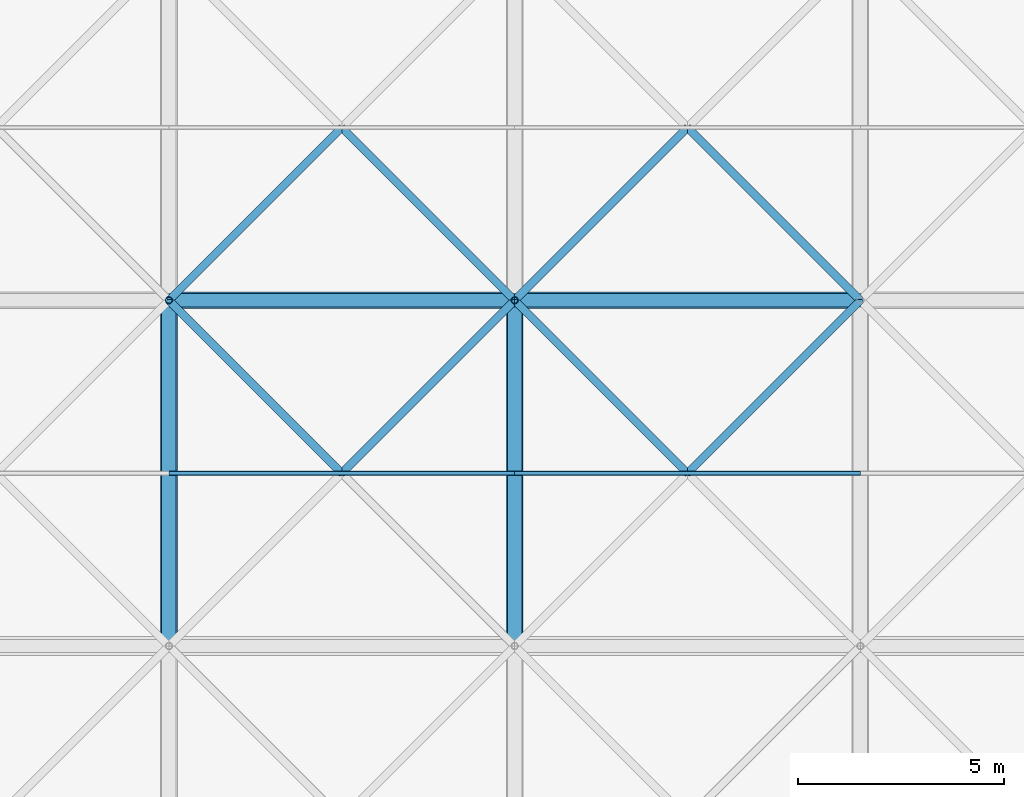
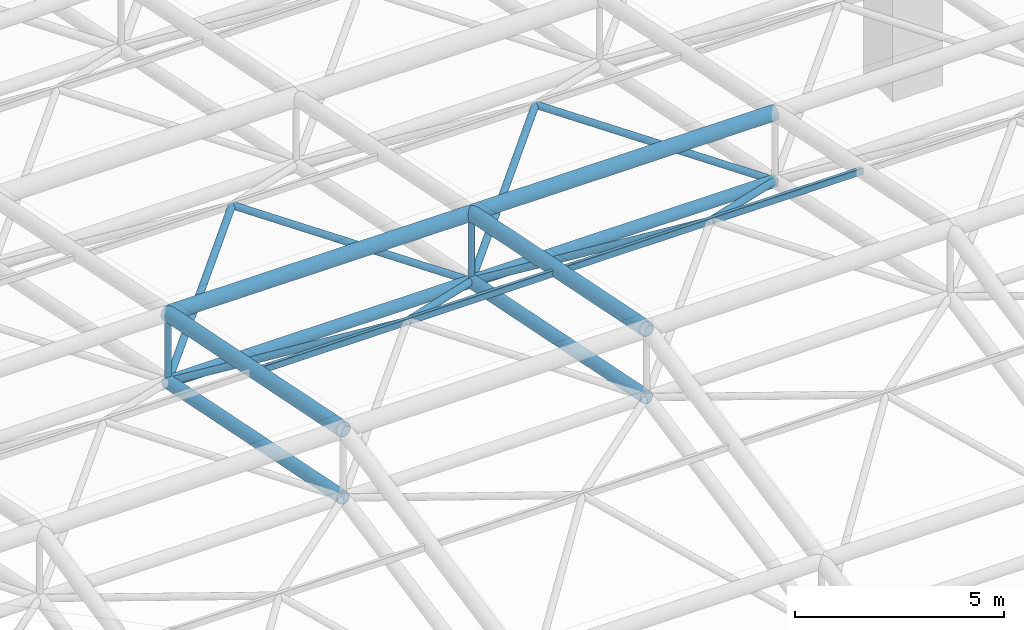
# One storey, part 48 of 110: 20 members.
"""IFC4 building model written with IfcOpenShell, lengths in metres."""

from ifc_helpers import new_model, si_unit, direction, frame, origin, origin_2d, place, context, subcontext, project, spatial, hollow_rectangle, hollow_circle, extrude, material, material_profile, profile_set, type_object, element, save


model = new_model("IFC4")

# Units and contexts
model_context = context("Model", 3, precision=1e-05, world=origin(), true_north=direction((0.0, 1.0)))
body_context = subcontext(model_context, "Body", "Model", "MODEL_VIEW")
ifc_project = project(units=[si_unit("LENGTHUNIT", "METRE"), si_unit("AREAUNIT", "SQUARE_METRE"), si_unit("VOLUMEUNIT", "CUBIC_METRE"), si_unit("PLANEANGLEUNIT", "RADIAN"), si_unit("MASSUNIT", "GRAM", prefix="KILO")], contexts=[model_context])

# Site, building, storey
site_placement = place(None, origin())
site = spatial("IfcSite", under=ifc_project, at=site_placement, CompositionType="ELEMENT")
building_placement = place(site_placement, origin())
building = spatial("IfcBuilding", under=site, at=building_placement, Name="Qawsi Khor Wholesale Market", CompositionType="ELEMENT")
storey_placement = place(building_placement, frame((0.0, 0.0, 11.39990234375)))
storey = spatial("IfcBuildingStorey", under=building, at=storey_placement, Name="L02", CompositionType="ELEMENT", Elevation=11.39990234375)

# Members
ifc_material = material(Name="Steel S355", Category="steel")
ifc_material_profile_1 = material_profile(ifc_material, hollow_circle(Radius=0.177734375, WallThickness=0.01611328125, at=origin_2d()), Name="CHS 355.6x16.0")
ifc_profile_set_1 = profile_set([ifc_material_profile_1], Name="Steel S355")
member_type_1 = type_object("IfcMemberType", Name="Space-Frame Bottom Chord CHS 355.6x16.0", PredefinedType="CHORD", material=ifc_profile_set_1)
for number, where, z_axis, x_axis, name in (
    (1, (176.39990234375, 75.60009765625, 6.77001953125), (0.0, 0.980129990483, -0.1983562496), (-1.0, 0.0, 0.0), "Space frame bottom chord Y EH (21,9)"),
    (2, (184.800048828125, 75.60009765625, 6.77001953125), (0.0, 0.980129990483, -0.1983562496), (-1.0, 0.0, 0.0), "Space frame bottom chord Y EH (22,9)"),
):
    element("IfcMember", number, at=place(storey_placement, frame(where, z_axis=z_axis, x_axis=x_axis)), inside=storey, type_object=member_type_1, Name=name, PredefinedType="CHORD", context=body_context, shape_type="SweptSolid", body=[
        extrude(hollow_circle(Radius=0.177734375, WallThickness=0.01611328125, at=origin_2d()), origin(), (0.0, 0.0, 1.0), 8.5703125),
    ])
ifc_material_profile_2 = material_profile(ifc_material, hollow_rectangle(XDim=0.10009765625, YDim=0.199951171875, WallThickness=0.008056640625, InnerFilletRadius=0.008056640625, OuterFilletRadius=0.01611328125, at=origin_2d()), Name="RHS 200x100x8.0")
ifc_profile_set_2 = profile_set([ifc_material_profile_2], Name="Steel S355")
member_type_2 = type_object("IfcMemberType", Name="Space-Frame Purlin RHS 200x100x8.0", PredefinedType="PURLIN", material=ifc_profile_set_2)
member_1_placement = place(storey_placement, frame((176.39990234375, 79.800048828125, 7.920166015625), z_axis=(1.0, 0.0, 0.0), x_axis=(0.0, 1.0, 0.0)))
element("IfcMember", 3, at=member_1_placement, inside=storey, type_object=member_type_2, Name="Space frame purlin EH (21,9)", PredefinedType="PURLIN", context=body_context, shape_type="SweptSolid", body=[
    extrude(hollow_rectangle(XDim=0.10009765625, YDim=0.199951171875, WallThickness=0.008056640625, InnerFilletRadius=0.008056640625, OuterFilletRadius=0.01611328125, at=origin_2d()), origin(), (0.0, 0.0, 1.0), 8.400146484375),
])
member_2_placement = place(storey_placement, frame((184.800048828125, 79.800048828125, 7.920166015625), z_axis=(1.0, 0.0, 0.0), x_axis=(0.0, 1.0, 0.0)))
element("IfcMember", 4, at=member_2_placement, inside=storey, type_object=member_type_2, Name="Space frame purlin EH (22,9)", PredefinedType="PURLIN", context=body_context, shape_type="SweptSolid", body=[
    extrude(hollow_rectangle(XDim=0.10009765625, YDim=0.199951171875, WallThickness=0.008056640625, InnerFilletRadius=0.008056640625, OuterFilletRadius=0.01611328125, at=origin_2d()), origin(), (0.0, 0.0, 1.0), 8.39990234375),
])
ifc_material_profile_3 = material_profile(ifc_material, hollow_circle(Radius=0.161865234375, WallThickness=0.01611328125, at=origin_2d()), Name="CHS 323.9x16.0")
ifc_profile_set_3 = profile_set([ifc_material_profile_3], Name="Steel S355")
member_type_3 = type_object("IfcMemberType", Name="Space-Frame Secondary Chord CHS 323.9x16.0", PredefinedType="CHORD", material=ifc_profile_set_3)
member_3_placement = place(storey_placement, frame((176.39990234375, 84.0, 5.070068359375), z_axis=(1.0, 0.0, 0.0), x_axis=(0.0, 1.0, 0.0)))
element("IfcMember", 5, at=member_3_placement, inside=storey, type_object=member_type_3, Name="Space frame bottom chord X EH (21,10)", PredefinedType="CHORD", context=body_context, shape_type="SweptSolid", body=[
    extrude(hollow_circle(Radius=0.161865234375, WallThickness=0.01611328125, at=origin_2d()), origin(), (0.0, 0.0, 1.0), 8.400146484375),
])
member_4_placement = place(storey_placement, frame((184.800048828125, 84.0, 5.070068359375), z_axis=(1.0, 0.0, 0.0), x_axis=(0.0, 1.0, 0.0)))
element("IfcMember", 6, at=member_4_placement, inside=storey, type_object=member_type_3, Name="Space frame bottom chord X EH (22,10)", PredefinedType="CHORD", context=body_context, shape_type="SweptSolid", body=[
    extrude(hollow_circle(Radius=0.161865234375, WallThickness=0.01611328125, at=origin_2d()), origin(), (0.0, 0.0, 1.0), 8.39990234375),
])
ifc_material_profile_4 = material_profile(ifc_material, hollow_circle(Radius=0.096923828125, WallThickness=0.008056640625, at=origin_2d()), Name="CHS 193.7x8.0")
ifc_profile_set_4 = profile_set([ifc_material_profile_4], Name="Steel S355")
member_type_4 = type_object("IfcMemberType", Name="Space-Frame Secondary Diagonal CHS 193.7x8.0", PredefinedType="RAFTER", material=ifc_profile_set_4)
for number, where, z_axis, x_axis, name in (
    (7, (184.800048828125, 84.0, 5.070068359375), (-0.637511741089, -0.637511741089, 0.432617105474), (0.707106781187, -0.707106781187, 0.0), "Space frame diagonal EH (21,9)-3"),
    (8, (176.39990234375, 84.0, 5.070068359375), (0.637533737254, -0.637496679957, 0.432606884951), (0.70708622964, 0.707127332136, 0.0), "Space frame diagonal EH (21,9)-4"),
):
    element("IfcMember", number, at=place(storey_placement, frame(where, z_axis=z_axis, x_axis=x_axis)), inside=storey, type_object=member_type_4, Name=name, PredefinedType="RAFTER", context=body_context, shape_type="SweptSolid", body=[
        extrude(hollow_circle(Radius=0.096923828125, WallThickness=0.008056640625, at=origin_2d()), origin(), (0.0, 0.0, 1.0), 6.588134765625),
    ])
for number, where, z_axis, x_axis, name in (
    (9, (176.39990234375, 84.0, 5.070068359375), (0.694232294544, 0.694191941586, 0.190102786538), (-0.70708622964, 0.707127332136, 0.0), "Space frame diagonal EH (21,10)-1"),
    (10, (184.800048828125, 84.0, 5.070068359375), (-0.694211389158, 0.694211389158, 0.190108112208), (-0.707106781187, -0.707106781187, 0.0), "Space frame diagonal EH (21,10)-2"),
):
    element("IfcMember", number, at=place(storey_placement, frame(where, z_axis=z_axis, x_axis=x_axis)), inside=storey, type_object=member_type_4, Name=name, PredefinedType="RAFTER", context=body_context, shape_type="SweptSolid", body=[
        extrude(hollow_circle(Radius=0.096923828125, WallThickness=0.008056640625, at=origin_2d()), origin(), (0.0, 0.0, 1.0), 6.050048828125),
    ])
for number, where, z_axis, x_axis, name in (
    (11, (193.199951171875, 84.0, 5.070068359375), (-0.637511741089, -0.637511741089, 0.432617105474), (0.707106781187, -0.707106781187, 0.0), "Space frame diagonal EH (22,9)-3"),
    (12, (184.800048828125, 84.0, 5.070068359375), (0.637511741089, -0.637511741089, 0.432617105474), (0.707106781187, 0.707106781187, 0.0), "Space frame diagonal EH (22,9)-4"),
):
    element("IfcMember", number, at=place(storey_placement, frame(where, z_axis=z_axis, x_axis=x_axis)), inside=storey, type_object=member_type_4, Name=name, PredefinedType="RAFTER", context=body_context, shape_type="SweptSolid", body=[
        extrude(hollow_circle(Radius=0.096923828125, WallThickness=0.008056640625, at=origin_2d()), origin(), (0.0, 0.0, 1.0), 6.588134765625),
    ])
for number, where, z_axis, x_axis, name in (
    (13, (184.800048828125, 84.0, 5.070068359375), (0.694211389158, 0.694211389158, 0.190108112208), (-0.707106781187, 0.707106781187, 0.0), "Space frame diagonal EH (22,10)-1"),
    (14, (193.199951171875, 84.0, 5.070068359375), (-0.694211389158, 0.694211389158, 0.190108112208), (-0.707106781187, -0.707106781187, 0.0), "Space frame diagonal EH (22,10)-2"),
):
    element("IfcMember", number, at=place(storey_placement, frame(where, z_axis=z_axis, x_axis=x_axis)), inside=storey, type_object=member_type_4, Name=name, PredefinedType="RAFTER", context=body_context, shape_type="SweptSolid", body=[
        extrude(hollow_circle(Radius=0.096923828125, WallThickness=0.008056640625, at=origin_2d()), origin(), (0.0, 0.0, 1.0), 6.050048828125),
    ])
ifc_material_profile_5 = material_profile(ifc_material, hollow_circle(Radius=0.203125, WallThickness=0.02001953125, at=origin_2d()), Name="CHS 406.4x20.0")
ifc_profile_set_5 = profile_set([ifc_material_profile_5], Name="Steel S355")
member_type_5 = type_object("IfcMemberType", Name="Space-Frame Top Chord CHS 406.4x20.0", PredefinedType="CHORD", material=ifc_profile_set_5)
member_5_placement = place(storey_placement, frame((176.39990234375, 75.60009765625, 8.77001953125), z_axis=(0.0, 0.980129990483, -0.1983562496), x_axis=(-1.0, 0.0, 0.0)))
element("IfcMember", 15, at=member_5_placement, inside=storey, type_object=member_type_5, Name="Space frame top chord Y EH (21,9)", PredefinedType="CHORD", context=body_context, shape_type="SweptSolid", body=[
    extrude(hollow_circle(Radius=0.203125, WallThickness=0.02001953125, at=origin_2d()), origin(), (0.0, 0.0, 1.0), 8.5703125),
])
member_6_placement = place(storey_placement, frame((176.39990234375, 84.0, 7.070068359375), z_axis=(1.0, 0.0, 0.0), x_axis=(0.0, 1.0, 0.0)))
element("IfcMember", 16, at=member_6_placement, inside=storey, type_object=member_type_5, Name="Space frame top chord X EH (21,10)", PredefinedType="CHORD", context=body_context, shape_type="SweptSolid", body=[
    extrude(hollow_circle(Radius=0.203125, WallThickness=0.02001953125, at=origin_2d()), origin(), (0.0, 0.0, 1.0), 8.400146484375),
])
member_7_placement = place(storey_placement, frame((184.800048828125, 75.60009765625, 8.77001953125), z_axis=(0.0, 0.980129990483, -0.1983562496), x_axis=(-1.0, 0.0, 0.0)))
element("IfcMember", 17, at=member_7_placement, inside=storey, type_object=member_type_5, Name="Space frame top chord Y EH (22,9)", PredefinedType="CHORD", context=body_context, shape_type="SweptSolid", body=[
    extrude(hollow_circle(Radius=0.203125, WallThickness=0.02001953125, at=origin_2d()), origin(), (0.0, 0.0, 1.0), 8.5703125),
])
member_8_placement = place(storey_placement, frame((184.800048828125, 84.0, 7.070068359375), z_axis=(1.0, 0.0, 0.0), x_axis=(0.0, 1.0, 0.0)))
element("IfcMember", 18, at=member_8_placement, inside=storey, type_object=member_type_5, Name="Space frame top chord X EH (22,10)", PredefinedType="CHORD", context=body_context, shape_type="SweptSolid", body=[
    extrude(hollow_circle(Radius=0.203125, WallThickness=0.02001953125, at=origin_2d()), origin(), (0.0, 0.0, 1.0), 8.39990234375),
])
ifc_material_profile_6 = material_profile(ifc_material, hollow_circle(Radius=0.084228515625, WallThickness=0.008056640625, at=origin_2d()), Name="CHS 168.3x8.0")
ifc_profile_set_6 = profile_set([ifc_material_profile_6], Name="Steel S355")
member_type_6 = type_object("IfcMemberType", Name="Space-Frame Vertical Strut CHS 168.3x8.0", PredefinedType="STRUT", material=ifc_profile_set_6)
for number, where, z_axis, x_axis, name in (
    (19, (176.39990234375, 84.0, 5.070068359375), (0.0, 0.0, 1.0), (1.0, 0.0, 0.0), "Space frame post EH (21,10)"),
    (20, (184.800048828125, 84.0, 5.070068359375), (0.0, 0.0, 1.0), (1.0, 0.0, 0.0), "Space frame post EH (22,10)"),
):
    element("IfcMember", number, at=place(storey_placement, frame(where, z_axis=z_axis, x_axis=x_axis)), inside=storey, type_object=member_type_6, Name=name, PredefinedType="STRUT", context=body_context, shape_type="SweptSolid", body=[
        extrude(hollow_circle(Radius=0.084228515625, WallThickness=0.008056640625, at=origin_2d()), origin(), (0.0, 0.0, 1.0), 2.0),
    ])

save(model, "model.ifc")
